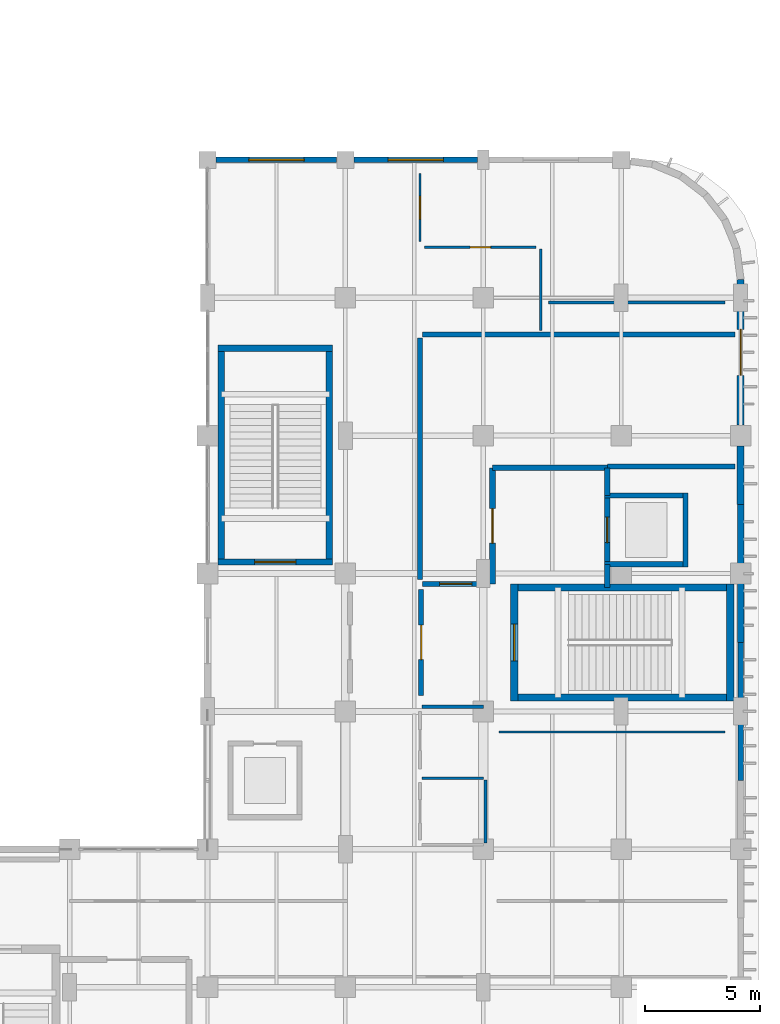
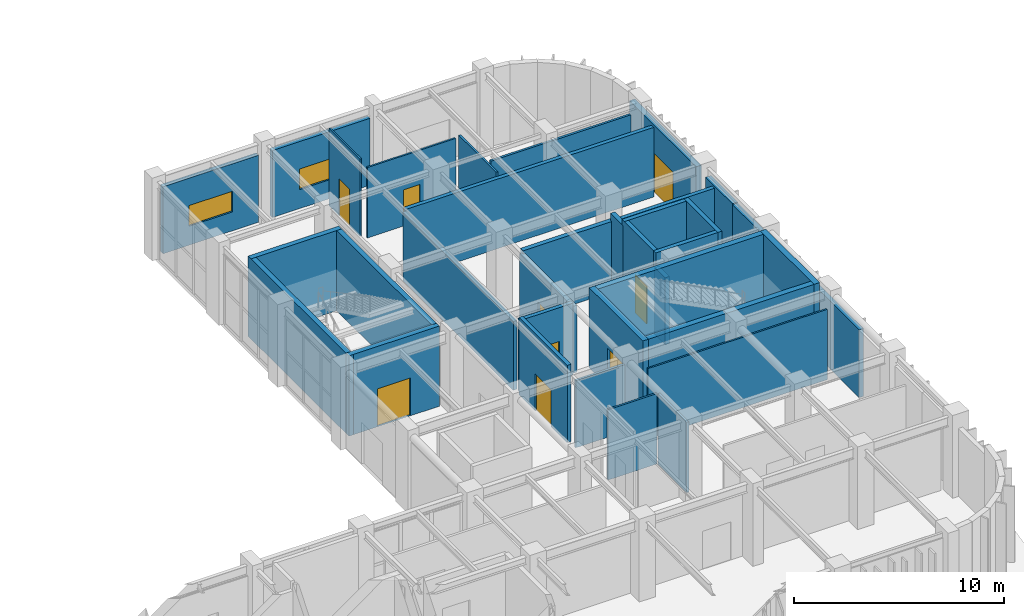
# One storey, part 51 of 76: 35 walls, 9 doors, 2 windows, 11 openings.
"""IFC4 building model written with IfcOpenShell, lengths in metres."""

from ifc_helpers import new_model, si_unit, direction, frame, frame_2d, origin, place, context, subcontext, project, spatial, rectangle, extrude, material, layer, layer_set, type_object, element, fill, save


model = new_model("IFC4")

# Units and contexts
model_context = context("Model", 3, precision=1e-05, world=origin(), true_north=direction((0.0, 1.0)))
body_context = subcontext(model_context, "Body", "Model", "MODEL_VIEW")
ifc_project = project(units=[si_unit("LENGTHUNIT", "METRE"), si_unit("AREAUNIT", "SQUARE_METRE"), si_unit("VOLUMEUNIT", "CUBIC_METRE"), si_unit("PLANEANGLEUNIT", "RADIAN"), si_unit("MASSUNIT", "GRAM", prefix="KILO")], contexts=[model_context])

# Site, building, storey
site_placement = place(None, origin())
site = spatial("IfcSite", under=ifc_project, at=site_placement, CompositionType="ELEMENT")
building_placement = place(site_placement, origin())
building = spatial("IfcBuilding", under=site, at=building_placement, Name="Varnakota Square Police Headquarters", CompositionType="ELEMENT")
storey_placement = place(building_placement, origin())
storey = spatial("IfcBuildingStorey", under=building, at=storey_placement, Name="L00", CompositionType="ELEMENT", Elevation=0.0)

# Walls
ifc_material_1 = material(Name="Concrete M40", Category="concrete")
ifc_layer_1 = layer(ifc_material_1, 0.22998046875, Name="Concrete M40")
ifc_layer_set_1 = layer_set([ifc_layer_1], Name="Concrete M40")
wall_type_1 = type_object("IfcWallType", Name="WL-CORE-230", PredefinedType="SHEAR", material=ifc_layer_set_1)
wall_1_placement = place(storey_placement, frame((155.284912109375, 27.39990234375, 0.0), z_axis=(0.0, 0.0, 1.0), x_axis=(1.0, 0.0, 0.0)))
element("IfcWall", 1, at=wall_1_placement, inside=storey, type_object=wall_type_1, Name="Lift shaft wall LF-FF2 L00 S", PredefinedType="SHEAR", context=body_context, shape_type="SweptSolid", body=[
    extrude(rectangle(XDim=3.630126953125, YDim=0.22998046875, at=frame_2d((1.81494140625, 0.0))), origin(), (0.0, 0.0, 1.0), 4.800048828125),
])
wall_2_placement = place(storey_placement, frame((158.800048828125, 27.284912109375, 0.0), z_axis=(0.0, 0.0, 1.0), x_axis=(0.0, 1.0, 0.0)))
element("IfcWall", 2, at=wall_2_placement, inside=storey, type_object=wall_type_1, Name="Lift shaft wall LF-FF2 L00 E", PredefinedType="SHEAR", context=body_context, shape_type="SweptSolid", body=[
    extrude(rectangle(XDim=3.22998046875, YDim=0.22998046875, at=frame_2d((1.614990234375, 0.0))), origin(), (0.0, 0.0, 1.0), 4.800048828125),
])
wall_3_placement = place(storey_placement, frame((158.9150390625, 30.39990234375, 0.0), z_axis=(0.0, 0.0, 1.0), x_axis=(-1.0, 0.0, 0.0)))
element("IfcWall", 3, at=wall_3_placement, inside=storey, type_object=wall_type_1, Name="Lift shaft wall LF-FF2 L00 N", PredefinedType="SHEAR", context=body_context, shape_type="SweptSolid", body=[
    extrude(rectangle(XDim=3.630126953125, YDim=0.22998046875, at=frame_2d((1.81494140625, 0.0))), origin(), (0.0, 0.0, 1.0), 4.800048828125),
])

# Wall, opening, door
wall_4_placement = place(storey_placement, frame((155.39990234375, 30.514892578125, 0.0), z_axis=(0.0, 0.0, 1.0), x_axis=(0.0, -1.0, 0.0)))
wall_4 = element("IfcWall", 4, at=wall_4_placement, inside=storey, type_object=wall_type_1, Name="Lift shaft wall LF-FF2 L00 W", PredefinedType="SHEAR", context=body_context, shape_type="SweptSolid", body=[
    extrude(rectangle(XDim=3.22998046875, YDim=0.22998046875, at=frame_2d((1.614990234375, 0.0))), origin(), (0.0, 0.0, 1.0), 4.800048828125),
])
opening_1_placement = place(wall_4_placement, frame((1.06494140625, 0.0, 0.0)))
opening_1 = element("IfcOpeningElement", 5, at=opening_1_placement, cuts=wall_4, Name="Opening LD009", PredefinedType="OPENING", context=body_context, shape_type="SweptSolid", body=[
    extrude(rectangle(XDim=1.10009765625, YDim=2.199951171875, at=frame_2d((0.550048828125, 1.10009765625))), frame((0.0, 0.125, 0.0), z_axis=(0.0, -1.0, 0.0), x_axis=(1.0, 0.0, 0.0)), (0.0, 0.0, 1.0), 0.25),
])
ifc_material_2 = material(Name="Brushed Grade 316 Stainless Steel", Category="steel")
door_type_1 = type_object("IfcDoorType", Name="DR-LD-FF", OperationType="NOTDEFINED", PredefinedType="DOOR", material=ifc_material_2)
door_1_placement = place(opening_1_placement, origin())
door_1 = element("IfcDoor", 6, at=door_1_placement, inside=storey, type_object=door_type_1, Name="Lift sliding landing door LD009", OperationType="SLIDING_TO_LEFT", OverallHeight=2.199951171875, OverallWidth=1.10009765625, PredefinedType="DOOR", context=body_context, shape_type="SweptSolid", body=[
    extrude(rectangle(XDim=1.10009765625, YDim=2.199951171875, at=frame_2d((0.550048828125, 1.10009765625))), frame((0.0, 0.02490234375, 0.0), z_axis=(0.0, -1.0, 0.0), x_axis=(1.0, 0.0, 0.0)), (0.0, 0.0, 1.0), 0.050048828125),
])
fill(opening_1, door_1)

ifc_material_3 = material(Name="Concrete M50", Category="concrete")
ifc_layer_2 = layer(ifc_material_3, 0.27001953125, Name="Concrete M50")
ifc_layer_set_2 = layer_set([ifc_layer_2], Name="Concrete M50")
wall_type_2 = type_object("IfcWallType", Name="WL-CORE-270", PredefinedType="SHEAR", material=ifc_layer_set_2)
wall_5_placement = place(storey_placement, frame((138.465087890625, 27.5, 0.0), z_axis=(0.0, 0.0, 1.0), x_axis=(1.0, 0.0, 0.0)))
wall_5 = element("IfcWall", 7, at=wall_5_placement, inside=storey, type_object=wall_type_2, Name="Core C3 shear wall L00 S", PredefinedType="SHEAR", context=body_context, shape_type="SweptSolid", body=[
    extrude(rectangle(XDim=4.969970703125, YDim=0.27001953125, at=frame_2d((2.48486328125, 0.0))), origin(), (0.0, 0.0, 1.0), 4.659912109375),
])
opening_2_placement = place(wall_5_placement, frame((1.5849609375, 0.0, 0.0)))
opening_2 = element("IfcOpeningElement", 8, at=opening_2_placement, cuts=wall_5, Name="Opening SD049", PredefinedType="OPENING", context=body_context, shape_type="SweptSolid", body=[
    extrude(rectangle(XDim=1.800048828125, YDim=2.199951171875, at=frame_2d((0.89990234375, 1.10009765625))), frame((0.0, 0.14501953125, 0.0), z_axis=(0.0, -1.0, 0.0), x_axis=(1.0, 0.0, 0.0)), (0.0, 0.0, 1.0), 0.2900390625),
])
ifc_material_4 = material(Name="Powder-Coated Galvanised Steel", Category="steel")
door_type_2 = type_object("IfcDoorType", Name="DR-ST-180", OperationType="NOTDEFINED", PredefinedType="DOOR", material=ifc_material_4)
door_2_placement = place(opening_2_placement, origin())
door_2 = element("IfcDoor", 9, at=door_2_placement, inside=storey, type_object=door_type_2, Name="Protected stair door SD049", OperationType="DOUBLE_DOOR_SINGLE_SWING", OverallHeight=2.199951171875, OverallWidth=1.800048828125, PredefinedType="DOOR", context=body_context, shape_type="SweptSolid", body=[
    extrude(rectangle(XDim=1.800048828125, YDim=2.199951171875, at=frame_2d((0.89990234375, 1.10009765625))), frame((0.0, 0.02490234375, 0.0), z_axis=(0.0, -1.0, 0.0), x_axis=(1.0, 0.0, 0.0)), (0.0, 0.0, 1.0), 0.050048828125),
])
fill(opening_2, door_2)

# Walls
wall_6_placement = place(storey_placement, frame((143.300048828125, 27.364990234375, 0.0), z_axis=(0.0, 0.0, 1.0), x_axis=(0.0, 1.0, 0.0)))
element("IfcWall", 10, at=wall_6_placement, inside=storey, type_object=wall_type_2, Name="Core C3 shear wall L00 E", PredefinedType="SHEAR", context=body_context, shape_type="SweptSolid", body=[
    extrude(rectangle(XDim=9.570068359375, YDim=0.27001953125, at=frame_2d((4.78515625, 0.0))), origin(), (0.0, 0.0, 1.0), 4.659912109375),
])
wall_7_placement = place(storey_placement, frame((143.43505859375, 36.800048828125, 0.0), z_axis=(0.0, 0.0, 1.0), x_axis=(-1.0, 0.0, 0.0)))
element("IfcWall", 11, at=wall_7_placement, inside=storey, type_object=wall_type_2, Name="Core C3 shear wall L00 N", PredefinedType="SHEAR", context=body_context, shape_type="SweptSolid", body=[
    extrude(rectangle(XDim=4.969970703125, YDim=0.27001953125, at=frame_2d((2.48486328125, 0.0))), origin(), (0.0, 0.0, 1.0), 4.659912109375),
])
wall_8_placement = place(storey_placement, frame((138.60009765625, 36.93505859375, 0.0), z_axis=(0.0, 0.0, 1.0), x_axis=(0.0, -1.0, 0.0)))
element("IfcWall", 12, at=wall_8_placement, inside=storey, type_object=wall_type_2, Name="Core C3 shear wall L00 W", PredefinedType="SHEAR", context=body_context, shape_type="SweptSolid", body=[
    extrude(rectangle(XDim=9.570068359375, YDim=0.27001953125, at=frame_2d((4.78515625, 0.0))), origin(), (0.0, 0.0, 1.0), 4.659912109375),
])
ifc_layer_3 = layer(ifc_material_3, 0.31005859375, Name="Concrete M50")
ifc_layer_set_3 = layer_set([ifc_layer_3], Name="Concrete M50")
wall_type_3 = type_object("IfcWallType", Name="WL-CORE-310", PredefinedType="SHEAR", material=ifc_layer_set_3)
wall_9_placement = place(storey_placement, frame((151.195068359375, 21.60009765625, 0.0), z_axis=(0.0, 0.0, 1.0), x_axis=(1.0, 0.0, 0.0)))
element("IfcWall", 13, at=wall_9_placement, inside=storey, type_object=wall_type_3, Name="Core C2 shear wall L00 S", PredefinedType="SHEAR", context=body_context, shape_type="SweptSolid", body=[
    extrude(rectangle(XDim=9.7099609375, YDim=0.31005859375, at=frame_2d((4.85498046875, 0.0))), origin(), (0.0, 0.0, 1.0), 4.659912109375),
])
wall_10_placement = place(storey_placement, frame((160.75, 21.445068359375, 0.0), z_axis=(0.0, 0.0, 1.0), x_axis=(0.0, 1.0, 0.0)))
element("IfcWall", 14, at=wall_10_placement, inside=storey, type_object=wall_type_3, Name="Core C2 shear wall L00 E", PredefinedType="SHEAR", context=body_context, shape_type="SweptSolid", body=[
    extrude(rectangle(XDim=5.10986328125, YDim=0.31005859375, at=frame_2d((2.554931640625, 0.0))), origin(), (0.0, 0.0, 1.0), 4.659912109375),
])
wall_11_placement = place(storey_placement, frame((160.905029296875, 26.39990234375, 0.0), z_axis=(0.0, 0.0, 1.0), x_axis=(-1.0, 0.0, 0.0)))
element("IfcWall", 15, at=wall_11_placement, inside=storey, type_object=wall_type_3, Name="Core C2 shear wall L00 N", PredefinedType="SHEAR", context=body_context, shape_type="SweptSolid", body=[
    extrude(rectangle(XDim=9.7099609375, YDim=0.31005859375, at=frame_2d((4.85498046875, 0.0))), origin(), (0.0, 0.0, 1.0), 4.659912109375),
])

# Wall, opening, door
wall_12_placement = place(storey_placement, frame((151.35009765625, 26.554931640625, 0.0), z_axis=(0.0, 0.0, 1.0), x_axis=(0.0, -1.0, 0.0)))
wall_12 = element("IfcWall", 16, at=wall_12_placement, inside=storey, type_object=wall_type_3, Name="Core C2 shear wall L00 W", PredefinedType="SHEAR", context=body_context, shape_type="SweptSolid", body=[
    extrude(rectangle(XDim=5.10986328125, YDim=0.31005859375, at=frame_2d((2.554931640625, 0.0))), origin(), (0.0, 0.0, 1.0), 4.659912109375),
])
opening_3_placement = place(wall_12_placement, frame((1.7548828125, 0.0, 0.0)))
opening_3 = element("IfcOpeningElement", 17, at=opening_3_placement, cuts=wall_12, Name="Opening SD025", PredefinedType="OPENING", context=body_context, shape_type="SweptSolid", body=[
    extrude(rectangle(XDim=1.60009765625, YDim=2.199951171875, at=frame_2d((0.800048828125, 1.10009765625))), frame((0.0, 0.1650390625, 0.0), z_axis=(0.0, -1.0, 0.0), x_axis=(1.0, 0.0, 0.0)), (0.0, 0.0, 1.0), 0.330078125),
])
door_type_3 = type_object("IfcDoorType", Name="DR-ST-160", OperationType="NOTDEFINED", PredefinedType="DOOR", material=ifc_material_4)
door_3_placement = place(opening_3_placement, origin())
door_3 = element("IfcDoor", 18, at=door_3_placement, inside=storey, type_object=door_type_3, Name="Protected stair door SD025", OperationType="DOUBLE_DOOR_SINGLE_SWING", OverallHeight=2.199951171875, OverallWidth=1.60009765625, PredefinedType="DOOR", context=body_context, shape_type="SweptSolid", body=[
    extrude(rectangle(XDim=1.60009765625, YDim=2.199951171875, at=frame_2d((0.800048828125, 1.10009765625))), frame((0.0, 0.02490234375, 0.0), z_axis=(0.0, -1.0, 0.0), x_axis=(1.0, 0.0, 0.0)), (0.0, 0.0, 1.0), 0.050048828125),
])
fill(opening_3, door_3)

# Wall
ifc_layer_4 = layer(ifc_material_1, 0.239990234375, Name="Concrete M40")
ifc_layer_set_4 = layer_set([ifc_layer_4], Name="Concrete M40")
wall_type_4 = type_object("IfcWallType", Name="WL-EXT-240", PredefinedType="SOLIDWALL", material=ifc_layer_set_4)
wall_13_placement = place(storey_placement, frame((161.199951171875, 18.0, 0.0), z_axis=(0.0, 0.0, 1.0), x_axis=(0.0, 1.0, 0.0)))
element("IfcWall", 19, at=wall_13_placement, inside=storey, type_object=wall_type_4, Name="Exterior wall EW-L00-0110", PredefinedType="SOLIDWALL", context=body_context, shape_type="SweptSolid", body=[
    extrude(rectangle(XDim=6.0, YDim=0.239990234375, at=frame_2d((3.0, 0.0))), origin(), (0.0, 0.0, 1.0), 3.93994140625),
])

# Wall, opening, window
wall_14_placement = place(storey_placement, frame((138.37890625, 45.0, 0.0), z_axis=(0.0, 0.0, 1.0), x_axis=(1.0, 0.0, 0.0)))
wall_14 = element("IfcWall", 20, at=wall_14_placement, inside=storey, type_object=wall_type_4, Name="Exterior wall EW-L00-0120", PredefinedType="SOLIDWALL", context=body_context, shape_type="SweptSolid", body=[
    extrude(rectangle(XDim=5.2421875, YDim=0.239990234375, at=frame_2d((2.62109375, 0.0))), origin(), (0.0, 0.0, 1.0), 3.889892578125),
])
opening_4_placement = place(wall_14_placement, frame((1.4208984375, 0.0, 1.10009765625)))
opening_4 = element("IfcOpeningElement", 21, at=opening_4_placement, cuts=wall_14, Name="Opening W06", PredefinedType="OPENING", context=body_context, shape_type="SweptSolid", body=[
    extrude(rectangle(XDim=2.39990234375, YDim=1.199951171875, at=frame_2d((1.199951171875, 0.60009765625))), frame((0.0, 0.1298828125, 0.0), z_axis=(0.0, -1.0, 0.0), x_axis=(1.0, 0.0, 0.0)), (0.0, 0.0, 1.0), 0.260009765625),
])
ifc_material_5 = material(Name="Thermally Broken Aluminium Double-Glazed Window", Category="aluminium")
window_type = type_object("IfcWindowType", Name="WIN-06", PartitioningType="SINGLE_PANEL", PredefinedType="WINDOW", material=ifc_material_5)
window_1_placement = place(opening_4_placement, origin())
window_1 = element("IfcWindow", 22, at=window_1_placement, inside=storey, type_object=window_type, Name="Window WN-L00-0016", OverallHeight=1.199951171875, OverallWidth=2.39990234375, PartitioningType="SINGLE_PANEL", PredefinedType="WINDOW", context=body_context, shape_type="SweptSolid", body=[
    extrude(rectangle(XDim=2.39990234375, YDim=1.199951171875, at=frame_2d((1.199951171875, 0.60009765625))), frame((0.0, 0.030029296875, 0.0), z_axis=(0.0, -1.0, 0.0), x_axis=(1.0, 0.0, 0.0)), (0.0, 0.0, 1.0), 0.06005859375),
])
fill(opening_4, window_1)

wall_15_placement = place(storey_placement, frame((144.37890625, 45.0, 0.0), z_axis=(0.0, 0.0, 1.0), x_axis=(1.0, 0.0, 0.0)))
wall_15 = element("IfcWall", 23, at=wall_15_placement, inside=storey, type_object=wall_type_4, Name="Exterior wall EW-L00-0121", PredefinedType="SOLIDWALL", context=body_context, shape_type="SweptSolid", body=[
    extrude(rectangle(XDim=5.3671875, YDim=0.239990234375, at=frame_2d((2.68359375, 0.0))), origin(), (0.0, 0.0, 1.0), 3.889892578125),
])
opening_5_placement = place(wall_15_placement, frame((1.4833984375, 0.0, 1.10009765625)))
opening_5 = element("IfcOpeningElement", 24, at=opening_5_placement, cuts=wall_15, Name="Opening W06", PredefinedType="OPENING", context=body_context, shape_type="SweptSolid", body=[
    extrude(rectangle(XDim=2.39990234375, YDim=1.199951171875, at=frame_2d((1.199951171875, 0.60009765625))), frame((0.0, 0.1298828125, 0.0), z_axis=(0.0, -1.0, 0.0), x_axis=(1.0, 0.0, 0.0)), (0.0, 0.0, 1.0), 0.260009765625),
])
window_2_placement = place(opening_5_placement, origin())
window_2 = element("IfcWindow", 25, at=window_2_placement, inside=storey, type_object=window_type, Name="Window WN-L00-0017", OverallHeight=1.199951171875, OverallWidth=2.39990234375, PartitioningType="SINGLE_PANEL", PredefinedType="WINDOW", context=body_context, shape_type="SweptSolid", body=[
    extrude(rectangle(XDim=2.39990234375, YDim=1.199951171875, at=frame_2d((1.199951171875, 0.60009765625))), frame((0.0, 0.030029296875, 0.0), z_axis=(0.0, -1.0, 0.0), x_axis=(1.0, 0.0, 0.0)), (0.0, 0.0, 1.0), 0.06005859375),
])
fill(opening_5, window_2)

# Walls
ifc_layer_5 = layer(ifc_material_1, 0.280029296875, Name="Concrete M40")
ifc_layer_set_5 = layer_set([ifc_layer_5], Name="Concrete M40")
wall_type_5 = type_object("IfcWallType", Name="WL-EXT-280", PredefinedType="SOLIDWALL", material=ifc_layer_set_5)
wall_16_placement = place(storey_placement, frame((161.199951171875, 24.0, 0.0), z_axis=(0.0, 0.0, 1.0), x_axis=(0.0, 1.0, 0.0)))
element("IfcWall", 26, at=wall_16_placement, inside=storey, type_object=wall_type_5, Name="Exterior wall EW-L00-0111", PredefinedType="SOLIDWALL", context=body_context, shape_type="SweptSolid", body=[
    extrude(rectangle(XDim=6.0, YDim=0.280029296875, at=frame_2d((3.0, 0.0))), origin(), (0.0, 0.0, 1.0), 3.93994140625),
])
ifc_material_6 = material(Name="Precast concrete M40", Category="concrete")
ifc_layer_6 = layer(ifc_material_6, 0.300048828125, Name="Precast concrete M40")
ifc_layer_set_6 = layer_set([ifc_layer_6], Name="Precast concrete M40")
wall_type_6 = type_object("IfcWallType", Name="WL-EXT-300", PredefinedType="SOLIDWALL", material=ifc_layer_set_6)
wall_17_placement = place(storey_placement, frame((161.199951171875, 30.0, 0.0), z_axis=(0.0, 0.0, 1.0), x_axis=(0.0, 1.0, 0.0)))
element("IfcWall", 27, at=wall_17_placement, inside=storey, type_object=wall_type_6, Name="Exterior wall EW-L00-0112", PredefinedType="SOLIDWALL", context=body_context, shape_type="SweptSolid", body=[
    extrude(rectangle(XDim=2.5458984375, YDim=0.300048828125, at=frame_2d((1.27294921875, 0.0))), origin(), (0.0, 0.0, 1.0), 3.989990234375),
])

# Wall, opening, door
wall_18_placement = place(storey_placement, frame((161.199951171875, 33.4541015625, 0.0), z_axis=(0.0, 0.0, 1.0), x_axis=(0.0, 1.0, 0.0)))
wall_18 = element("IfcWall", 28, at=wall_18_placement, inside=storey, type_object=wall_type_6, Name="Exterior wall EW-L00-0113", PredefinedType="SOLIDWALL", context=body_context, shape_type="SweptSolid", body=[
    extrude(rectangle(XDim=6.345947265625, YDim=0.300048828125, at=frame_2d((3.1728515625, 0.0))), origin(), (0.0, 0.0, 1.0), 4.0400390625),
])
opening_6_placement = place(wall_18_placement, frame((2.173095703125, 0.0, 0.0)))
opening_6 = element("IfcOpeningElement", 29, at=opening_6_placement, cuts=wall_18, Name="Opening ED14", PredefinedType="OPENING", context=body_context, shape_type="SweptSolid", body=[
    extrude(rectangle(XDim=2.0, YDim=2.39990234375, at=frame_2d((1.0, 1.199951171875))), frame((0.0, 0.159912109375, 0.0), z_axis=(0.0, -1.0, 0.0), x_axis=(1.0, 0.0, 0.0)), (0.0, 0.0, 1.0), 0.320068359375),
])
ifc_material_7 = material(Name="Powder-Coated Steel Exit Door", Category="steel")
door_type_4 = type_object("IfcDoorType", Name="DR-EXT-ED200", OperationType="NOTDEFINED", PredefinedType="DOOR", material=ifc_material_7)
door_4_placement = place(opening_6_placement, frame((2.0, 0.0, 0.0), z_axis=(0.0, 0.0, 1.0), x_axis=(-1.0, 0.0, 0.0)))
door_4 = element("IfcDoor", 30, at=door_4_placement, inside=storey, type_object=door_type_4, Name="Exterior door ED14", OperationType="DOUBLE_DOOR_SINGLE_SWING", OverallHeight=2.39990234375, OverallWidth=2.0, PredefinedType="DOOR", context=body_context, shape_type="SweptSolid", body=[
    extrude(rectangle(XDim=2.0, YDim=2.39990234375, at=frame_2d((1.0, 1.199951171875))), frame((0.0, 0.02490234375, 0.0), z_axis=(0.0, -1.0, 0.0), x_axis=(1.0, 0.0, 0.0)), (0.0, 0.0, 1.0), 0.050048828125),
])
fill(opening_6, door_4)

ifc_material_8 = material(Name="Lightweight Demountable Office Partition", Category="gypsum")
ifc_layer_7 = layer(ifc_material_8, 0.094970703125, Name="Lightweight Demountable Office Partition")
ifc_layer_set_7 = layer_set([ifc_layer_7], Name="Lightweight Demountable Office Partition")
wall_type_7 = type_object("IfcWallType", Name="WL-PRT-095", PredefinedType="PARTITIONING", material=ifc_layer_set_7)
wall_19_placement = place(storey_placement, frame((147.449951171875, 41.199951171875, 0.0), z_axis=(0.0, 0.0, 1.0), x_axis=(1.0, 0.0, 0.0)))
wall_19 = element("IfcWall", 31, at=wall_19_placement, inside=storey, type_object=wall_type_7, Name="Interior partition PW-L00-0022 (L00 Operations Women Washroom WC)", PredefinedType="PARTITIONING", context=body_context, shape_type="SweptSolid", body=[
    extrude(rectangle(XDim=4.85009765625, YDim=0.094970703125, at=frame_2d((2.425048828125, 0.0))), origin(), (0.0, 0.0, 1.0), 4.090087890625),
])
opening_7_placement = place(wall_19_placement, frame((1.97509765625, 0.0, 0.0)))
opening_7 = element("IfcOpeningElement", 32, at=opening_7_placement, cuts=wall_19, Name="Opening D154", PredefinedType="OPENING", context=body_context, shape_type="SweptSolid", body=[
    extrude(rectangle(XDim=0.89990234375, YDim=2.10009765625, at=frame_2d((0.449951171875, 1.050048828125))), frame((0.0, 0.057373046875, 0.0), z_axis=(0.0, -1.0, 0.0), x_axis=(1.0, 0.0, 0.0)), (0.0, 0.0, 1.0), 0.114990234375),
])
ifc_material_9 = material(Name="High-Pressure Moisture-Resistant Compact Laminate")
door_type_5 = type_object("IfcDoorType", Name="DR-WC-090", OperationType="NOTDEFINED", PredefinedType="DOOR", material=ifc_material_9)
door_5_placement = place(opening_7_placement, origin())
door_5 = element("IfcDoor", 33, at=door_5_placement, inside=storey, type_object=door_type_5, Name="Room door D154 (L00 Operations Women Washroom WC)", OperationType="SINGLE_SWING_RIGHT", OverallHeight=2.10009765625, OverallWidth=0.89990234375, PredefinedType="DOOR", context=body_context, shape_type="SweptSolid", body=[
    extrude(rectangle(XDim=0.89990234375, YDim=2.10009765625, at=frame_2d((0.449951171875, 1.050048828125))), frame((0.0, 0.02490234375, 0.0), z_axis=(0.0, -1.0, 0.0), x_axis=(1.0, 0.0, 0.0)), (0.0, 0.0, 1.0), 0.050048828125),
])
fill(opening_7, door_5)

wall_20_placement = place(storey_placement, frame((147.25, 41.449951171875, 0.0), z_axis=(0.0, 0.0, 1.0), x_axis=(0.0, 1.0, 0.0)))
wall_20 = element("IfcWall", 34, at=wall_20_placement, inside=storey, type_object=wall_type_7, Name="Interior partition PW-L00-0040 (Fleet Operations Office)", PredefinedType="PARTITIONING", context=body_context, shape_type="SweptSolid", body=[
    extrude(rectangle(XDim=2.949951171875, YDim=0.094970703125, at=frame_2d((1.47509765625, 0.0))), origin(), (0.0, 0.0, 1.0), 4.489990234375),
])
opening_8_placement = place(wall_20_placement, frame((0.97509765625, 0.0, 0.0)))
opening_8 = element("IfcOpeningElement", 35, at=opening_8_placement, cuts=wall_20, Name="Opening D172", PredefinedType="OPENING", context=body_context, shape_type="SweptSolid", body=[
    extrude(rectangle(XDim=1.0, YDim=2.14990234375, at=frame_2d((0.5, 1.074951171875))), frame((0.0, 0.057373046875, 0.0), z_axis=(0.0, -1.0, 0.0), x_axis=(1.0, 0.0, 0.0)), (0.0, 0.0, 1.0), 0.114990234375),
])
ifc_material_10 = material(Name="Solid-Core Teak Veneer Hardwood", Category="wood")
door_type_6 = type_object("IfcDoorType", Name="DR-OFF-100", OperationType="NOTDEFINED", PredefinedType="DOOR", material=ifc_material_10)
door_6_placement = place(opening_8_placement, origin())
door_6 = element("IfcDoor", 36, at=door_6_placement, inside=storey, type_object=door_type_6, Name="Room door D172 (Fleet Operations Office)", OperationType="SINGLE_SWING_LEFT", OverallHeight=2.14990234375, OverallWidth=1.0, PredefinedType="DOOR", context=body_context, shape_type="SweptSolid", body=[
    extrude(rectangle(XDim=1.0, YDim=2.14990234375, at=frame_2d((0.5, 1.074951171875))), frame((0.0, 0.02490234375, 0.0), z_axis=(0.0, -1.0, 0.0), x_axis=(1.0, 0.0, 0.0)), (0.0, 0.0, 1.0), 0.050048828125),
])
fill(opening_8, door_6)

# Walls
wall_21_placement = place(storey_placement, frame((150.679931640625, 20.10009765625, 0.0), z_axis=(0.0, 0.0, 1.0), x_axis=(1.0, 0.0, 0.0)))
element("IfcWall", 37, at=wall_21_placement, inside=storey, type_object=wall_type_7, Name="Interior dividing partition PW-L00-0076 (Field Radio Issue Store)", PredefinedType="PARTITIONING", context=body_context, shape_type="SweptSolid", body=[
    extrude(rectangle(XDim=9.840087890625, YDim=0.094970703125, at=frame_2d((4.919921875, 0.0))), origin(), (0.0, 0.0, 1.0), 4.08349609375),
])
ifc_material_11 = material(Name="Glazed Clean-Lab Modular Partition", Category="gypsum")
ifc_layer_8 = layer(ifc_material_11, 0.10498046875, Name="Glazed Clean-Lab Modular Partition")
ifc_layer_set_8 = layer_set([ifc_layer_8], Name="Glazed Clean-Lab Modular Partition")
wall_type_8 = type_object("IfcWallType", Name="WL-PRT-105", PredefinedType="PARTITIONING", material=ifc_layer_set_8)
wall_22_placement = place(storey_placement, frame((147.330078125, 18.10009765625, 0.0), z_axis=(0.0, 0.0, 1.0), x_axis=(1.0, 0.0, 0.0)))
element("IfcWall", 38, at=wall_22_placement, inside=storey, type_object=wall_type_8, Name="Interior dividing partition PW-L00-0058 (L00 Accessible WC East)", PredefinedType="PARTITIONING", context=body_context, shape_type="SweptSolid", body=[
    extrude(rectangle(XDim=2.68994140625, YDim=0.10498046875, at=frame_2d((1.344970703125, 0.0))), origin(), (0.0, 0.0, 1.0), 4.08349609375),
])
ifc_material_12 = material(Name="Moisture-Resistant Tile-Backed Partition", Category="gypsum")
ifc_layer_9 = layer(ifc_material_12, 0.114990234375, Name="Moisture-Resistant Tile-Backed Partition")
ifc_layer_set_9 = layer_set([ifc_layer_9], Name="Moisture-Resistant Tile-Backed Partition")
wall_type_9 = type_object("IfcWallType", Name="WL-PRT-115", PredefinedType="PARTITIONING", material=ifc_layer_set_9)
wall_23_placement = place(storey_placement, frame((152.5, 41.1201171875, 0.0), z_axis=(0.0, 0.0, 1.0), x_axis=(0.0, -1.0, 0.0)))
element("IfcWall", 39, at=wall_23_placement, inside=storey, type_object=wall_type_9, Name="Interior dividing partition PW-L00-0060 (L00 Operations Women Washroom WC)", PredefinedType="PARTITIONING", context=body_context, shape_type="SweptSolid", body=[
    extrude(rectangle(XDim=3.5400390625, YDim=0.114990234375, at=frame_2d((1.77001953125, 0.0))), origin(), (0.0, 0.0, 1.0), 4.239990234375),
])
ifc_material_13 = material(Name="Acoustic Insulated Metal-Stud Partition", Category="gypsum")
ifc_layer_10 = layer(ifc_material_13, 0.125, Name="Acoustic Insulated Metal-Stud Partition")
ifc_layer_set_10 = layer_set([ifc_layer_10], Name="Acoustic Insulated Metal-Stud Partition")
wall_type_10 = type_object("IfcWallType", Name="WL-PRT-125", PredefinedType="PARTITIONING", material=ifc_layer_set_10)
wall_24_placement = place(storey_placement, frame((150.10009765625, 18.02001953125, 0.0), z_axis=(0.0, 0.0, 1.0), x_axis=(0.0, -1.0, 0.0)))
element("IfcWall", 40, at=wall_24_placement, inside=storey, type_object=wall_type_10, Name="Interior dividing partition PW-L00-0056 (L00 Accessible WC East)", PredefinedType="PARTITIONING", context=body_context, shape_type="SweptSolid", body=[
    extrude(rectangle(XDim=2.739990234375, YDim=0.125, at=frame_2d((1.3701171875, 0.0))), origin(), (0.0, 0.0, 1.0), 4.08349609375),
])
wall_25_placement = place(storey_placement, frame((160.52001953125, 38.800048828125, 0.0), z_axis=(0.0, 0.0, 1.0), x_axis=(-1.0, 0.0, 0.0)))
element("IfcWall", 41, at=wall_25_placement, inside=storey, type_object=wall_type_10, Name="Interior dividing partition PW-L00-0077 (Fleet Operations Office)", PredefinedType="PARTITIONING", context=body_context, shape_type="SweptSolid", body=[
    extrude(rectangle(XDim=7.68994140625, YDim=0.125, at=frame_2d((3.844970703125, 0.0))), origin(), (0.0, 0.0, 1.0), 4.0400390625),
])
ifc_layer_11 = layer(ifc_material_13, 0.139892578125, Name="Acoustic Insulated Metal-Stud Partition")
ifc_layer_set_11 = layer_set([ifc_layer_11], Name="Acoustic Insulated Metal-Stud Partition")
wall_type_11 = type_object("IfcWallType", Name="WL-PRT-140", PredefinedType="PARTITIONING", material=ifc_layer_set_11)
wall_26_placement = place(storey_placement, frame((147.330078125, 21.199951171875, 0.0), z_axis=(0.0, 0.0, 1.0), x_axis=(1.0, 0.0, 0.0)))
element("IfcWall", 42, at=wall_26_placement, inside=storey, type_object=wall_type_11, Name="Interior dividing partition PW-L00-0059 (L00 Operations Men Washroom WC)", PredefinedType="PARTITIONING", context=body_context, shape_type="SweptSolid", body=[
    extrude(rectangle(XDim=2.68994140625, YDim=0.139892578125, at=frame_2d((1.344970703125, 0.0))), origin(), (0.0, 0.0, 1.0), 3.889892578125),
])

# Wall, opening, door
ifc_layer_12 = layer(ifc_material_1, 0.215087890625, Name="Concrete M40")
ifc_layer_set_12 = layer_set([ifc_layer_12], Name="Concrete M40")
wall_type_12 = type_object("IfcWallType", Name="WL-PRT-215F", PredefinedType="PARTITIONING", material=ifc_layer_set_12)
wall_27_placement = place(storey_placement, frame((147.300048828125, 21.699951171875, 0.0), z_axis=(0.0, 0.0, 1.0), x_axis=(0.0, 1.0, 0.0)))
wall_27 = element("IfcWall", 43, at=wall_27_placement, inside=storey, type_object=wall_type_12, Name="Core C2 lobby fire partition L00", PredefinedType="PARTITIONING", context=body_context, shape_type="SweptSolid", body=[
    extrude(rectangle(XDim=4.60009765625, YDim=0.215087890625, at=frame_2d((2.300048828125, 0.0))), origin(), (0.0, 0.0, 1.0), 4.489990234375),
])
opening_9_placement = place(wall_27_placement, frame((1.550048828125, 0.0, 0.0)))
opening_9 = element("IfcOpeningElement", 44, at=opening_9_placement, cuts=wall_27, Name="Opening FD033", PredefinedType="OPENING", context=body_context, shape_type="SweptSolid", body=[
    extrude(rectangle(XDim=1.5, YDim=2.14990234375, at=frame_2d((0.75, 1.074951171875))), frame((0.0, 0.117431640625, 0.0), z_axis=(0.0, -1.0, 0.0), x_axis=(1.0, 0.0, 0.0)), (0.0, 0.0, 1.0), 0.235107421875),
])
ifc_material_14 = material(Name="Smoke-Sealed Galvanised Acoustic Steel", Category="steel")
door_type_7 = type_object("IfcDoorType", Name="DR-FFL-150", OperationType="NOTDEFINED", PredefinedType="DOOR", material=ifc_material_14)
door_7_placement = place(opening_9_placement, origin())
door_7 = element("IfcDoor", 45, at=door_7_placement, inside=storey, type_object=door_type_7, Name="Core lobby smoke door FD033", OperationType="DOUBLE_DOOR_SINGLE_SWING", OverallHeight=2.14990234375, OverallWidth=1.5, PredefinedType="DOOR", context=body_context, shape_type="SweptSolid", body=[
    extrude(rectangle(XDim=1.5, YDim=2.14990234375, at=frame_2d((0.75, 1.074951171875))), frame((0.0, 0.02490234375, 0.0), z_axis=(0.0, -1.0, 0.0), x_axis=(1.0, 0.0, 0.0)), (0.0, 0.0, 1.0), 0.050048828125),
])
fill(opening_9, door_7)

wall_28_placement = place(storey_placement, frame((147.35009765625, 26.550048828125, 0.0), z_axis=(0.0, 0.0, 1.0), x_axis=(1.0, 0.0, 0.0)))
wall_28 = element("IfcWall", 46, at=wall_28_placement, inside=storey, type_object=wall_type_12, Name="Protected exit passageway fire wall EXW-C2-LNK", PredefinedType="PARTITIONING", context=body_context, shape_type="SweptSolid", body=[
    extrude(rectangle(XDim=2.89990234375, YDim=0.215087890625, at=frame_2d((1.449951171875, 0.0))), origin(), (0.0, 0.0, 1.0), 4.166015625),
])
opening_10_placement = place(wall_28_placement, frame((0.75, 0.0, 0.0)))
opening_10 = element("IfcOpeningElement", 47, at=opening_10_placement, cuts=wall_28, Name="Opening FD138", PredefinedType="OPENING", context=body_context, shape_type="SweptSolid", body=[
    extrude(rectangle(XDim=1.39990234375, YDim=2.199951171875, at=frame_2d((0.699951171875, 1.10009765625))), frame((0.0, 0.117431640625, 0.0), z_axis=(0.0, -1.0, 0.0), x_axis=(1.0, 0.0, 0.0)), (0.0, 0.0, 1.0), 0.235107421875),
])
door_type_8 = type_object("IfcDoorType", Name="DR-ST-140", OperationType="NOTDEFINED", PredefinedType="DOOR", material=ifc_material_4)
door_8_placement = place(opening_10_placement, origin())
door_8 = element("IfcDoor", 48, at=door_8_placement, inside=storey, type_object=door_type_8, Name="Protected exit passageway fire door FD138", OperationType="DOUBLE_DOOR_SINGLE_SWING", OverallHeight=2.199951171875, OverallWidth=1.39990234375, PredefinedType="DOOR", context=body_context, shape_type="SweptSolid", body=[
    extrude(rectangle(XDim=1.39990234375, YDim=2.199951171875, at=frame_2d((0.699951171875, 1.10009765625))), frame((0.0, 0.02490234375, 0.0), z_axis=(0.0, -1.0, 0.0), x_axis=(1.0, 0.0, 0.0)), (0.0, 0.0, 1.0), 0.050048828125),
])
fill(opening_10, door_8)

# Walls
wall_29_placement = place(storey_placement, frame((147.25, 26.75, 0.0), z_axis=(0.0, 0.0, 1.0), x_axis=(0.0, 1.0, 0.0)))
element("IfcWall", 49, at=wall_29_placement, inside=storey, type_object=wall_type_12, Name="Protected exit passageway fire wall EXW-C2-W", PredefinedType="PARTITIONING", context=body_context, shape_type="SweptSolid", body=[
    extrude(rectangle(XDim=10.5, YDim=0.215087890625, at=frame_2d((5.25, 0.0))), origin(), (0.0, 0.0, 1.0), 3.989990234375),
])
wall_30_placement = place(storey_placement, frame((147.35009765625, 37.39990234375, 0.0), z_axis=(0.0, 0.0, 1.0), x_axis=(1.0, 0.0, 0.0)))
element("IfcWall", 50, at=wall_30_placement, inside=storey, type_object=wall_type_12, Name="Protected exit passageway fire wall EXW-C2-N", PredefinedType="PARTITIONING", context=body_context, shape_type="SweptSolid", body=[
    extrude(rectangle(XDim=13.599853515625, YDim=0.215087890625, at=frame_2d((6.7998046875, 0.0))), origin(), (0.0, 0.0, 1.0), 4.0400390625),
])
wall_31_placement = place(storey_placement, frame((155.39990234375, 31.64990234375, 0.0), z_axis=(0.0, 0.0, 1.0), x_axis=(1.0, 0.0, 0.0)))
element("IfcWall", 51, at=wall_31_placement, inside=storey, type_object=wall_type_12, Name="Protected exit passageway fire wall EXW-C2-SE", PredefinedType="PARTITIONING", context=body_context, shape_type="SweptSolid", body=[
    extrude(rectangle(XDim=5.550048828125, YDim=0.215087890625, at=frame_2d((2.77490234375, 0.0))), origin(), (0.0, 0.0, 1.0), 3.989990234375),
])

# Wall, opening, door
ifc_layer_13 = layer(ifc_material_1, 0.25, Name="Concrete M40")
ifc_layer_set_13 = layer_set([ifc_layer_13], Name="Concrete M40")
wall_type_13 = type_object("IfcWallType", Name="WL-PRT-250F", PredefinedType="PARTITIONING", material=ifc_layer_set_13)
wall_32_placement = place(storey_placement, frame((150.39990234375, 26.550048828125, 0.0), z_axis=(0.0, 0.0, 1.0), x_axis=(0.0, 1.0, 0.0)))
wall_32 = element("IfcWall", 52, at=wall_32_placement, inside=storey, type_object=wall_type_13, Name="Firefighting lobby enclosure C2 L00", PredefinedType="PARTITIONING", context=body_context, shape_type="SweptSolid", body=[
    extrude(rectangle(XDim=5.050048828125, YDim=0.25, at=frame_2d((2.52490234375, 0.0))), origin(), (0.0, 0.0, 1.0), 3.889892578125),
])
opening_11_placement = place(wall_32_placement, frame((1.77490234375, 0.0, 0.0)))
opening_11 = element("IfcOpeningElement", 53, at=opening_11_placement, cuts=wall_32, Name="Opening FD034", PredefinedType="OPENING", context=body_context, shape_type="SweptSolid", body=[
    extrude(rectangle(XDim=1.5, YDim=2.14990234375, at=frame_2d((0.75, 1.074951171875))), frame((0.0, 0.135009765625, 0.0), z_axis=(0.0, -1.0, 0.0), x_axis=(1.0, 0.0, 0.0)), (0.0, 0.0, 1.0), 0.27001953125),
])
door_9_placement = place(opening_11_placement, origin())
door_9 = element("IfcDoor", 54, at=door_9_placement, inside=storey, type_object=door_type_7, Name="Firefighting lobby fire door FD034", OperationType="DOUBLE_DOOR_SINGLE_SWING", OverallHeight=2.14990234375, OverallWidth=1.5, PredefinedType="DOOR", context=body_context, shape_type="SweptSolid", body=[
    extrude(rectangle(XDim=1.5, YDim=2.14990234375, at=frame_2d((0.75, 1.074951171875))), frame((0.0, 0.02490234375, 0.0), z_axis=(0.0, -1.0, 0.0), x_axis=(1.0, 0.0, 0.0)), (0.0, 0.0, 1.0), 0.050048828125),
])
fill(opening_11, door_9)

# Walls
wall_33_placement = place(storey_placement, frame((150.39990234375, 31.60009765625, 0.0), z_axis=(0.0, 0.0, 1.0), x_axis=(1.0, 0.0, 0.0)))
element("IfcWall", 55, at=wall_33_placement, inside=storey, type_object=wall_type_13, Name="Firefighting lobby return wall C2 L00 N", PredefinedType="PARTITIONING", context=body_context, shape_type="SweptSolid", body=[
    extrude(rectangle(XDim=5.0, YDim=0.25, at=frame_2d((2.5, 0.0))), origin(), (0.0, 0.0, 1.0), 4.090087890625),
])
wall_34_placement = place(storey_placement, frame((155.39990234375, 30.39990234375, 0.0), z_axis=(0.0, 0.0, 1.0), x_axis=(0.0, 1.0, 0.0)))
element("IfcWall", 56, at=wall_34_placement, inside=storey, type_object=wall_type_13, Name="Firefighting lobby return wall C2 L00 EN", PredefinedType="PARTITIONING", context=body_context, shape_type="SweptSolid", body=[
    extrude(rectangle(XDim=1.2001953125, YDim=0.25, at=frame_2d((0.60009765625, 0.0))), origin(), (0.0, 0.0, 1.0), 4.489990234375),
])
wall_35_placement = place(storey_placement, frame((155.39990234375, 26.39990234375, 0.0), z_axis=(0.0, 0.0, 1.0), x_axis=(0.0, 1.0, 0.0)))
element("IfcWall", 57, at=wall_35_placement, inside=storey, type_object=wall_type_13, Name="Firefighting lobby return wall C2 L00 ES", PredefinedType="PARTITIONING", context=body_context, shape_type="SweptSolid", body=[
    extrude(rectangle(XDim=1.0, YDim=0.25, at=frame_2d((0.5, 0.0))), origin(), (0.0, 0.0, 1.0), 3.889892578125),
])

save(model, "model.ifc")
